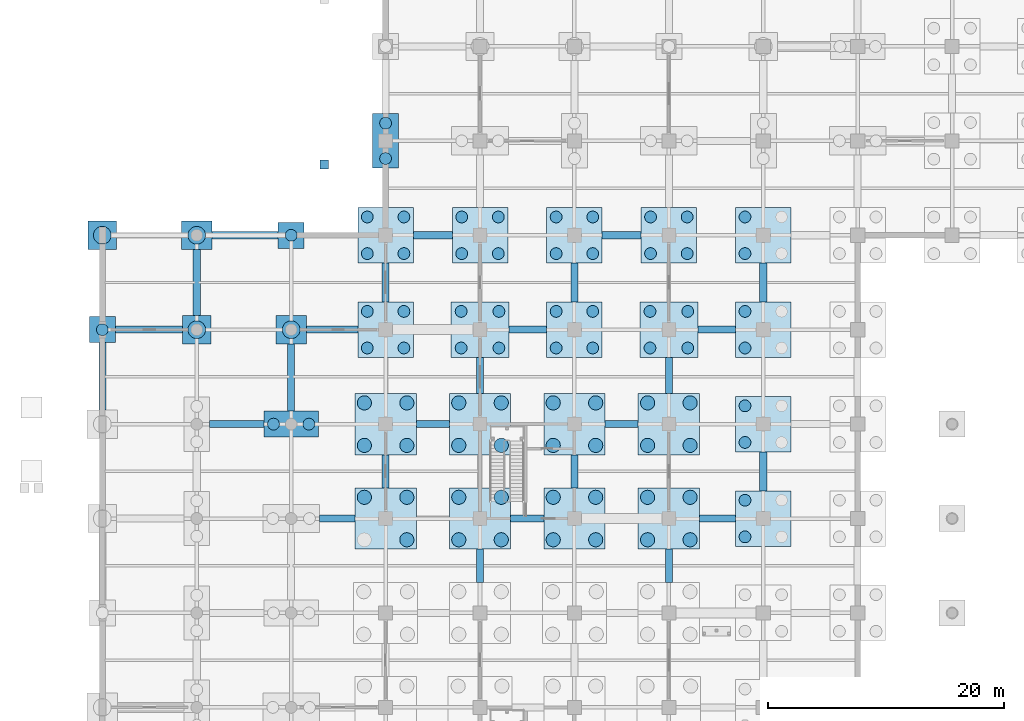
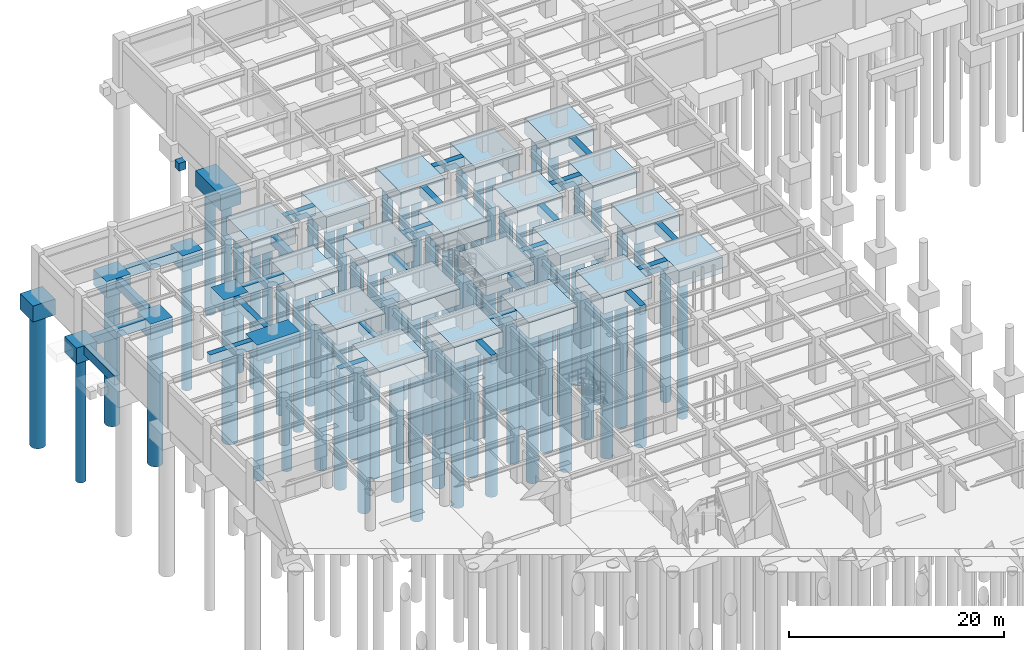
# One storey, part 14 of 97: 81 piles, 55 footings.
"""IFC4 building model written with IfcOpenShell, lengths in metres."""

import ifcopenshell
import ifcopenshell.guid

model = None  # the IFC model being written
_history = None  # IfcOwnerHistory: only IFC2X3 demands one
_inside = {}  # id of a spatial element -> (the spatial element, [elements in it])
_under = {}  # id of a project, library or spatial element -> (it, [spatial elements below it])
_declared = {}  # id of a project -> (the project, [libraries it declares])
_typed = {}  # id of a type object -> (the type object, [elements of that type])
_made_of = {}  # id of a material, layer set ... -> (it, [elements and type objects made of it])


def new_model(schema):
    """Start an empty IFC model of exactly this schema.

    Asked for "IFC4X3", IfcOpenShell would pick the latest addendum, in which some entities
    have other attributes; the version numbers below select the first issue.
    IFC2X3 requires an IfcOwnerHistory on every rooted entity: one is made here for all.
    """
    global model, _history
    if schema == "IFC4X3":
        model = ifcopenshell.file(schema_version=(4, 3, 0, 0))
    else:
        model = ifcopenshell.file(schema=schema)
    _inside.clear()
    _under.clear()
    _declared.clear()
    _typed.clear()
    _made_of.clear()
    _history = None
    if model.schema == "IFC2X3":
        org = make("IfcOrganization", Name="unknown")
        user = make(
            "IfcPersonAndOrganization",
            ThePerson=make("IfcPerson", FamilyName="unknown"),
            TheOrganization=org,
        )
        app = make(
            "IfcApplication",
            ApplicationDeveloper=org,
            Version="unknown",
            ApplicationFullName="unknown",
            ApplicationIdentifier="unknown",
        )
        _history = make(
            "IfcOwnerHistory",
            OwningUser=user,
            OwningApplication=app,
            ChangeAction="ADDED",
            CreationDate=0,
        )
    return model


def make(cls, **values):
    """One entity of the class cls with the attributes given. An attribute that is None is left unset."""
    return model.create_entity(
        cls, **{name: value for name, value in values.items() if value is not None}
    )


def rooted(cls, **values):
    """An entity with a GlobalId (a new one), such as an element, a storey or a relation."""
    return make(cls, GlobalId=ifcopenshell.guid.new(), OwnerHistory=_history, **values)


def si_unit(unit_type, name, prefix=None):
    """IfcSIUnit, for example si_unit("LENGTHUNIT", "METRE", prefix="MILLI")."""
    return make("IfcSIUnit", UnitType=unit_type, Prefix=prefix, Name=name)


def assignment(units):
    """IfcUnitAssignment: the units of a project."""
    return None if units is None else make("IfcUnitAssignment", Units=units)


def point(xyz):
    """IfcCartesianPoint."""
    return None if xyz is None else make("IfcCartesianPoint", Coordinates=xyz)


def direction(xyz):
    """IfcDirection."""
    return None if xyz is None else make("IfcDirection", DirectionRatios=xyz)


def frame(location, z_axis=None, x_axis=None):
    """IfcAxis2Placement3D, a coordinate frame: its origin and axes. An axis left out is left unset."""
    return make(
        "IfcAxis2Placement3D",
        Location=point(location),
        Axis=direction(z_axis),
        RefDirection=direction(x_axis),
    )


def frame_2d(location, x_axis=None):
    """IfcAxis2Placement2D, a coordinate frame in the plane: its origin and x axis."""
    return make(
        "IfcAxis2Placement2D", Location=point(location), RefDirection=direction(x_axis)
    )


def origin():
    """The frame at (0, 0, 0) with its axes left unset."""
    return frame((0.0, 0.0, 0.0))


def origin_2d():
    """The frame at (0, 0) in the plane with its x axis left unset."""
    return frame_2d((0.0, 0.0))


def place(relative_to, where):
    """IfcLocalPlacement: puts the frame where relative to a parent placement (None: the world)."""
    return make(
        "IfcLocalPlacement", PlacementRelTo=relative_to, RelativePlacement=where
    )


def context(
    kind, dimensions, precision=None, world=None, true_north=None, identifier=None
):
    """IfcGeometricRepresentationContext, for example the 3D "Model" context."""
    return make(
        "IfcGeometricRepresentationContext",
        ContextIdentifier=identifier,
        ContextType=kind,
        CoordinateSpaceDimension=dimensions,
        Precision=precision,
        WorldCoordinateSystem=world,
        TrueNorth=true_north,
    )


def subcontext(parent, identifier, kind, view, scale=None):
    """IfcGeometricRepresentationSubContext, for example "Body" below "Model"."""
    return make(
        "IfcGeometricRepresentationSubContext",
        ContextIdentifier=identifier,
        ContextType=kind,
        ParentContext=parent,
        TargetScale=scale,
        TargetView=view,
    )


def project(units=None, contexts=None):
    """IfcProject with its units and contexts."""
    return rooted(
        "IfcProject",
        Name="project",
        RepresentationContexts=contexts,
        UnitsInContext=assignment(units),
    )


def spatial(cls, under=None, at=None, **own):
    """A site, building, storey or space (cls), placed at a placement, below another one or the project."""
    s = rooted(cls, ObjectPlacement=at, **own)
    if under is not None:
        _under.setdefault(under.id(), (under, []))[1].append(s)
    return s


def profile(cls, at=None, kind="AREA", **sizes):
    """A parametric profile (cls). Its sizes go by their IFC names, for example OverallWidth=200.0."""
    return make(cls, ProfileType=kind, Position=at, **sizes)


def rectangle(**sizes):
    """IfcRectangleProfileDef."""
    return profile("IfcRectangleProfileDef", **sizes)


def circle(**sizes):
    """IfcCircleProfileDef."""
    return profile("IfcCircleProfileDef", **sizes)


def extrude(swept, where, along, depth):
    """IfcExtrudedAreaSolid: the profile swept, set in the frame where, extruded along a direction by depth."""
    return make(
        "IfcExtrudedAreaSolid",
        SweptArea=swept,
        Position=where,
        ExtrudedDirection=direction(along),
        Depth=depth,
    )


def shape(context_of_items, identifier, shape_type, items):
    """IfcShapeRepresentation: the items that make up one representation, for example the "Body"."""
    return make(
        "IfcShapeRepresentation",
        ContextOfItems=context_of_items,
        RepresentationIdentifier=identifier,
        RepresentationType=shape_type,
        Items=items,
    )


def material(Name=None, Category=None):
    """IfcMaterial."""
    return make("IfcMaterial", Name=Name, Category=Category)


def layer(
    of_material, thickness, ventilated=None, Name=None, Category=None, Priority=None
):
    """IfcMaterialLayer: one layer of a wall or slab, of a material (None: an air gap)."""
    return make(
        "IfcMaterialLayer",
        Material=of_material,
        LayerThickness=thickness,
        IsVentilated=ventilated,
        Name=Name,
        Category=Category,
        Priority=Priority,
    )


def layer_set(layers, Name=None):
    """IfcMaterialLayerSet."""
    return make("IfcMaterialLayerSet", MaterialLayers=layers, LayerSetName=Name)


def material_profile(
    of_material, cross_section, Name=None, Category=None, Priority=None
):
    """IfcMaterialProfile: a cross section and its material."""
    return make(
        "IfcMaterialProfile",
        Name=Name,
        Material=of_material,
        Profile=cross_section,
        Priority=Priority,
        Category=Category,
    )


def profile_set(profiles, Name=None, composite=None):
    """IfcMaterialProfileSet."""
    return make(
        "IfcMaterialProfileSet",
        Name=Name,
        MaterialProfiles=profiles,
        CompositeProfile=composite,
    )


def made_of(thing, what):
    """Note that an element or type object is made of a material, layer set ...; save() writes the relation."""
    if what is not None:
        _made_of.setdefault(what.id(), (what, []))[1].append(thing)
    return thing


def type_object(cls, material=None, **own):
    """A type object (cls), such as IfcWallType, which elements share."""
    return made_of(rooted(cls, **own), material)


def element(
    cls,
    number,
    at=None,
    inside=None,
    cuts=None,
    type_object=None,
    material=None,
    context=None,
    identifier="Body",
    shape_type=None,
    held_by="IfcProductDefinitionShape",
    body=None,
    shapes=None,
    **own,
):
    """One element of the class cls, such as IfcWall. Its Tag is "e" and its number.

    at: its placement. inside: the storey or other place that contains it. cuts: it is an
    opening in that element (IfcRelVoidsElement). A single representation is given by context,
    identifier, shape_type and body (its items); several are given by shapes. held_by: the class
    of the entity that holds the representations. save() writes the other relations.
    """
    e = rooted(cls, Tag="e%d" % number, ObjectPlacement=at, **own)
    if body is not None:
        shapes = [shape(context, identifier, shape_type, body)]
    if shapes is not None:
        e.Representation = make(held_by, Representations=shapes)
    if inside is not None:
        _inside.setdefault(inside.id(), (inside, []))[1].append(e)
    if cuts is not None:
        rooted(
            "IfcRelVoidsElement", RelatingBuildingElement=cuts, RelatedOpeningElement=e
        )
    if type_object is not None:
        _typed.setdefault(type_object.id(), (type_object, []))[1].append(e)
    return made_of(e, material)


def aggregate(whole, parts):
    """IfcRelAggregates: a whole, such as a stair, and the parts it consists of."""
    return rooted("IfcRelAggregates", RelatingObject=whole, RelatedObjects=parts)


def save(model, path):
    """Write the relations noted so far, then the file.

    IfcRelAggregates (storeys below a building ...), IfcRelContainedInSpatialStructure (elements
    in a storey), IfcRelDefinesByType, IfcRelAssociatesMaterial and IfcRelDeclares: one each for
    every whole, place, type object, material and project.
    """
    for whole, parts in _under.values():
        aggregate(whole, parts)
    for where, things in _inside.values():
        rooted(
            "IfcRelContainedInSpatialStructure",
            RelatedElements=things,
            RelatingStructure=where,
        )
    for kind, things in _typed.values():
        rooted("IfcRelDefinesByType", RelatedObjects=things, RelatingType=kind)
    for what, things in _made_of.values():
        rooted("IfcRelAssociatesMaterial", RelatedObjects=things, RelatingMaterial=what)
    for by, libraries in _declared.values():
        rooted("IfcRelDeclares", RelatingContext=by, RelatedDefinitions=libraries)
    model.write(path)


model = new_model("IFC4")

# Units and contexts
model_context = context("Model", 3, precision=1e-05, world=origin(), true_north=direction((0.0, 1.0)))
body_context = subcontext(model_context, "Body", "Model", "MODEL_VIEW")
ifc_project = project(units=[si_unit("LENGTHUNIT", "METRE"), si_unit("AREAUNIT", "SQUARE_METRE"), si_unit("VOLUMEUNIT", "CUBIC_METRE"), si_unit("PLANEANGLEUNIT", "RADIAN"), si_unit("MASSUNIT", "GRAM", prefix="KILO")], contexts=[model_context])

# Site, building, storey
site_placement = place(None, origin())
site = spatial("IfcSite", under=ifc_project, at=site_placement, CompositionType="ELEMENT")
building_placement = place(site_placement, origin())
building = spatial("IfcBuilding", under=site, at=building_placement, Name="Haebicheon Civic Stadium", CompositionType="ELEMENT")
storey_placement = place(building_placement, frame((0.0, 0.0, -5.39990234375)))
storey = spatial("IfcBuildingStorey", under=building, at=storey_placement, Name="B1", CompositionType="ELEMENT", Elevation=-5.39990234375)

# Footings
ifc_material_1 = material(Name="Concrete C40/50", Category="concrete")
ifc_layer_1 = layer(ifc_material_1, 1.0, Name="Concrete C40/50")
ifc_layer_set_1 = layer_set([ifc_layer_1], Name="Concrete C40/50")
footing_type_1 = type_object("IfcFootingType", Name="FB-2800x600", PredefinedType="FOOTING_BEAM", material=ifc_layer_set_1)
for number, where, z_axis, x_axis, name in (
    (1, (24.0, 132.0, -1.0), (0.0, 0.0, 1.0), (0.0, 1.0, 0.0), "Ground tie beam Y 03-16"),
    (2, (28.0, 136.0, -1.0), (0.0, 0.0, 1.0), (1.0, 0.0, 0.0), "Ground tie beam X 03-17"),
    (3, (32.0, 124.0, -1.0), (0.0, 0.0, 1.0), (0.0, 1.0, 0.0), "Ground tie beam Y 04-15"),
    (4, (36.0, 128.0, -1.0), (0.0, 0.0, 1.0), (1.0, 0.0, 0.0), "Ground tie beam X 04-16"),
    (5, (40.0, 132.0, -1.0), (0.0, 0.0, 1.0), (0.0, 1.0, 0.0), "Ground tie beam Y 05-16"),
    (6, (44.0, 136.0, -1.0), (0.0, 0.0, 1.0), (1.0, 0.0, 0.0), "Ground tie beam X 05-17"),
    (7, (48.0, 124.0, -1.0), (0.0, 0.0, 1.0), (0.0, 1.0, 0.0), "Ground tie beam Y 06-15"),
):
    element("IfcFooting", number, at=place(storey_placement, frame(where, z_axis=z_axis, x_axis=x_axis)), inside=storey, type_object=footing_type_1, material=ifc_layer_set_1, Name=name, PredefinedType="FOOTING_BEAM", context=body_context, shape_type="SweptSolid", body=[
        extrude(rectangle(XDim=2.800048828125, YDim=0.60009765625, at=origin_2d()), origin(), (0.0, 0.0, 1.0), 1.0),
    ])
ifc_material_2 = material(Name="Concrete C40/50", Category="concrete")
ifc_layer_2 = layer(ifc_material_2, 1.0, Name="Concrete C40/50")
ifc_layer_set_2 = layer_set([ifc_layer_2], Name="Concrete C40/50")
footing_type_2 = type_object("IfcFootingType", Name="FB-3000x600", PredefinedType="FOOTING_BEAM", material=ifc_layer_set_2)
footing_1_placement = place(storey_placement, frame((19.89990234375, 128.0, -1.0), z_axis=(0.0, 0.0, 1.0), x_axis=(1.0, 0.0, 0.0)))
element("IfcFooting", 8, at=footing_1_placement, inside=storey, type_object=footing_type_2, material=ifc_layer_set_2, Name="Ground tie beam X 02-16", PredefinedType="FOOTING_BEAM", context=body_context, shape_type="SweptSolid", body=[
    extrude(rectangle(XDim=3.0, YDim=0.60009765625, at=origin_2d()), origin(), (0.0, 0.0, 1.0), 1.0),
])
ifc_material_3 = material(Name="Concrete C40/50", Category="concrete")
ifc_layer_3 = layer(ifc_material_3, 1.0, Name="Concrete C40/50")
ifc_layer_set_3 = layer_set([ifc_layer_3], Name="Concrete C40/50")
footing_type_3 = type_object("IfcFootingType", Name="FB-3050x600", PredefinedType="FOOTING_BEAM", material=ifc_layer_set_3)
for number, where, z_axis, x_axis, name in (
    (9, (32.0, 140.125, -1.0), (0.0, 0.0, 1.0), (0.0, 1.0, 0.0), "Ground tie beam Y 04-17"),
    (10, (52.125, 128.0, -1.0), (0.0, 0.0, 1.0), (1.0, 0.0, 0.0), "Ground tie beam X 06-16"),
    (11, (48.0, 140.125, -1.0), (0.0, 0.0, 1.0), (0.0, 1.0, 0.0), "Ground tie beam Y 06-17"),
):
    element("IfcFooting", number, at=place(storey_placement, frame(where, z_axis=z_axis, x_axis=x_axis)), inside=storey, type_object=footing_type_3, material=ifc_layer_set_3, Name=name, PredefinedType="FOOTING_BEAM", context=body_context, shape_type="SweptSolid", body=[
        extrude(rectangle(XDim=3.050048828125, YDim=0.60009765625, at=origin_2d()), origin(), (0.0, 0.0, 1.0), 1.0),
    ])
ifc_material_4 = material(Name="Concrete C40/50", Category="concrete")
ifc_layer_4 = layer(ifc_material_4, 1.0, Name="Concrete C40/50")
ifc_layer_set_4 = layer_set([ifc_layer_4], Name="Concrete C40/50")
footing_type_4 = type_object("IfcFootingType", Name="FB-3200x600", PredefinedType="FOOTING_BEAM", material=ifc_layer_set_4)
for number, where, z_axis, x_axis, name in (
    (12, (36.050048828125, 144.0, -1.0), (0.0, 0.0, 1.0), (1.0, 0.0, 0.0), "Ground tie beam X 04-18"),
    (13, (52.050048828125, 144.0, -1.0), (0.0, 0.0, 1.0), (1.0, 0.0, 0.0), "Ground tie beam X 06-18"),
):
    element("IfcFooting", number, at=place(storey_placement, frame(where, z_axis=z_axis, x_axis=x_axis)), inside=storey, type_object=footing_type_4, material=ifc_layer_set_4, Name=name, PredefinedType="FOOTING_BEAM", context=body_context, shape_type="SweptSolid", body=[
        extrude(rectangle(XDim=3.199951171875, YDim=0.60009765625, at=origin_2d()), origin(), (0.0, 0.0, 1.0), 1.0),
    ])
ifc_material_5 = material(Name="Concrete C40/50", Category="concrete")
ifc_layer_5 = layer(ifc_material_5, 1.0, Name="Concrete C40/50")
ifc_layer_set_5 = layer_set([ifc_layer_5], Name="Concrete C40/50")
footing_type_5 = type_object("IfcFootingType", Name="FB-3300x600", PredefinedType="FOOTING_BEAM", material=ifc_layer_set_5)
for number, where, z_axis, x_axis, name in (
    (14, (24.0, 148.0, -1.0), (0.0, 0.0, 1.0), (0.0, 1.0, 0.0), "Ground tie beam Y 03-18"),
    (15, (28.0, 152.0, -1.0), (0.0, 0.0, 1.0), (1.0, 0.0, 0.0), "Ground tie beam X 03-19"),
    (16, (40.0, 148.0, -1.0), (0.0, 0.0, 1.0), (0.0, 1.0, 0.0), "Ground tie beam Y 05-18"),
    (17, (44.0, 152.0, -1.0), (0.0, 0.0, 1.0), (1.0, 0.0, 0.0), "Ground tie beam X 05-19"),
    (18, (56.0, 132.0, -1.0), (0.0, 0.0, 1.0), (0.0, 1.0, 0.0), "Ground tie beam Y 07-16"),
    (19, (56.0, 148.0, -1.0), (0.0, 0.0, 1.0), (0.0, 1.0, 0.0), "Ground tie beam Y 07-18"),
):
    element("IfcFooting", number, at=place(storey_placement, frame(where, z_axis=z_axis, x_axis=x_axis)), inside=storey, type_object=footing_type_5, material=ifc_layer_set_5, Name=name, PredefinedType="FOOTING_BEAM", context=body_context, shape_type="SweptSolid", body=[
        extrude(rectangle(XDim=3.300048828125, YDim=0.60009765625, at=origin_2d()), origin(), (0.0, 0.0, 1.0), 1.0),
    ])
ifc_material_6 = material(Name="Concrete C40/50", Category="concrete")
ifc_layer_6 = layer(ifc_material_6, 1.0, Name="Concrete C40/50")
ifc_layer_set_6 = layer_set([ifc_layer_6], Name="Concrete C40/50")
footing_type_6 = type_object("IfcFootingType", Name="FB-4350x600", PredefinedType="FOOTING_BEAM", material=ifc_layer_set_6)
footing_2_placement = place(storey_placement, frame((19.47509765625, 144.0, -1.0), z_axis=(0.0, 0.0, 1.0), x_axis=(1.0, 0.0, 0.0)))
element("IfcFooting", 20, at=footing_2_placement, inside=storey, type_object=footing_type_6, material=ifc_layer_set_6, Name="Ground tie beam X 02-18", PredefinedType="FOOTING_BEAM", context=body_context, shape_type="SweptSolid", body=[
    extrude(rectangle(XDim=4.35009765625, YDim=0.60009765625, at=origin_2d()), origin(), (0.0, 0.0, 1.0), 1.0),
])
ifc_material_7 = material(Name="Concrete C40/50", Category="concrete")
ifc_layer_7 = layer(ifc_material_7, 1.0, Name="Concrete C40/50")
ifc_layer_set_7 = layer_set([ifc_layer_7], Name="Concrete C40/50")
footing_type_7 = type_object("IfcFootingType", Name="FB-4600x600", PredefinedType="FOOTING_BEAM", material=ifc_layer_set_7)
footing_3_placement = place(storey_placement, frame((11.39990234375, 136.0, -1.0), z_axis=(0.0, 0.0, 1.0), x_axis=(1.0, 0.0, 0.0)))
element("IfcFooting", 21, at=footing_3_placement, inside=storey, type_object=footing_type_7, material=ifc_layer_set_7, Name="Ground tie beam X 01-17", PredefinedType="FOOTING_BEAM", context=body_context, shape_type="SweptSolid", body=[
    extrude(rectangle(XDim=4.60009765625, YDim=0.60009765625, at=origin_2d()), origin(), (0.0, 0.0, 1.0), 1.0),
])
ifc_material_8 = material(Name="Concrete C40/50", Category="concrete")
ifc_layer_8 = layer(ifc_material_8, 1.0, Name="Concrete C40/50")
ifc_layer_set_8 = layer_set([ifc_layer_8], Name="Concrete C40/50")
footing_type_8 = type_object("IfcFootingType", Name="FB-5600x600", PredefinedType="FOOTING_BEAM", material=ifc_layer_set_8)
for number, where, z_axis, x_axis, name in (
    (22, (8.0, 148.0, -1.0), (0.0, 0.0, 1.0), (0.0, 1.0, 0.0), "Ground tie beam Y 01-18"),
    (23, (12.10009765625, 152.0, -1.0), (0.0, 0.0, 1.0), (1.0, 0.0, 0.0), "Ground tie beam X 01-19"),
):
    element("IfcFooting", number, at=place(storey_placement, frame(where, z_axis=z_axis, x_axis=x_axis)), inside=storey, type_object=footing_type_8, material=ifc_layer_set_8, Name=name, PredefinedType="FOOTING_BEAM", context=body_context, shape_type="SweptSolid", body=[
        extrude(rectangle(XDim=5.60009765625, YDim=0.60009765625, at=origin_2d()), origin(), (0.0, 0.0, 1.0), 1.0),
    ])
ifc_material_9 = material(Name="Concrete C40/50", Category="concrete")
ifc_layer_9 = layer(ifc_material_9, 1.0, Name="Concrete C40/50")
ifc_layer_set_9 = layer_set([ifc_layer_9], Name="Concrete C40/50")
footing_type_9 = type_object("IfcFootingType", Name="FB-5700x600", PredefinedType="FOOTING_BEAM", material=ifc_layer_set_9)
for number, where, z_axis, x_axis, name in (
    (24, (0.0, 140.050048828125, -1.0), (0.0, 0.0, 1.0), (0.0, 1.0, 0.0), "Ground tie beam Y 00-17"),
    (25, (3.949951171875, 144.0, -1.0), (0.0, 0.0, 1.0), (1.0, 0.0, 0.0), "Ground tie beam X 00-18"),
    (26, (16.0, 139.949951171875, -1.0), (0.0, 0.0, 1.0), (0.0, 1.0, 0.0), "Ground tie beam Y 02-17"),
):
    element("IfcFooting", number, at=place(storey_placement, frame(where, z_axis=z_axis, x_axis=x_axis)), inside=storey, type_object=footing_type_9, material=ifc_layer_set_9, Name=name, PredefinedType="FOOTING_BEAM", context=body_context, shape_type="SweptSolid", body=[
        extrude(rectangle(XDim=5.699951171875, YDim=0.60009765625, at=origin_2d()), origin(), (0.0, 0.0, 1.0), 1.0),
    ])
ifc_material_10 = material(Name="Concrete C40/50", Category="concrete")
ifc_layer_10 = layer(ifc_material_10, 1.800048828125, Name="Concrete C40/50")
ifc_layer_set_10 = layer_set([ifc_layer_10], Name="Concrete C40/50")
footing_type_10 = type_object("IfcFootingType", Name="PC-1P-2200", PredefinedType="PILE_CAP", material=ifc_layer_set_10)
for number, where, z_axis, x_axis, name in (
    (27, (0.0, 144.0, -1.80029296875), (0.0, 0.0, 1.0), (1.0, 0.0, 0.0), "Pile cap FT-PC-00-18"),
    (28, (16.0, 152.0, -1.80029296875), (0.0, 0.0, 1.0), (1.0, 0.0, 0.0), "Pile cap FT-PC-02-19"),
):
    element("IfcFooting", number, at=place(storey_placement, frame(where, z_axis=z_axis, x_axis=x_axis)), inside=storey, type_object=footing_type_10, material=ifc_layer_set_10, Name=name, PredefinedType="PILE_CAP", context=body_context, shape_type="SweptSolid", body=[
        extrude(rectangle(XDim=2.199951171875, YDim=2.199951171875, at=origin_2d()), origin(), (0.0, 0.0, 1.0), 1.800048828125),
    ])
ifc_material_11 = material(Name="Concrete C40/50", Category="concrete")
ifc_layer_11 = layer(ifc_material_11, 1.800048828125, Name="Concrete C40/50")
ifc_layer_set_11 = layer_set([ifc_layer_11], Name="Concrete C40/50")
footing_type_11 = type_object("IfcFootingType", Name="PC-1P-2400", PredefinedType="PILE_CAP", material=ifc_layer_set_11)
for number, where, z_axis, x_axis, name in (
    (29, (0.0, 152.0, -1.80029296875), (0.0, 0.0, 1.0), (1.0, 0.0, 0.0), "Pile cap FT-PC-00-19"),
    (30, (8.0, 144.0, -1.80029296875), (0.0, 0.0, 1.0), (1.0, 0.0, 0.0), "Pile cap FT-PC-01-18"),
):
    element("IfcFooting", number, at=place(storey_placement, frame(where, z_axis=z_axis, x_axis=x_axis)), inside=storey, type_object=footing_type_11, material=ifc_layer_set_11, Name=name, PredefinedType="PILE_CAP", context=body_context, shape_type="SweptSolid", body=[
        extrude(rectangle(XDim=2.39990234375, YDim=2.39990234375, at=origin_2d()), origin(), (0.0, 0.0, 1.0), 1.800048828125),
    ])
ifc_material_12 = material(Name="Concrete C40/50", Category="concrete")
ifc_layer_12 = layer(ifc_material_12, 1.800048828125, Name="Concrete C40/50")
ifc_layer_set_12 = layer_set([ifc_layer_12], Name="Concrete C40/50")
footing_type_12 = type_object("IfcFootingType", Name="PC-1P-2600", PredefinedType="PILE_CAP", material=ifc_layer_set_12)
for number, where, z_axis, x_axis, name in (
    (31, (8.0, 152.0, -1.80029296875), (0.0, 0.0, 1.0), (1.0, 0.0, 0.0), "Pile cap FT-PC-01-19"),
    (32, (16.0, 144.0, -1.80029296875), (0.0, 0.0, 1.0), (1.0, 0.0, 0.0), "Pile cap FT-PC-02-18"),
):
    element("IfcFooting", number, at=place(storey_placement, frame(where, z_axis=z_axis, x_axis=x_axis)), inside=storey, type_object=footing_type_12, material=ifc_layer_set_12, Name=name, PredefinedType="PILE_CAP", context=body_context, shape_type="SweptSolid", body=[
        extrude(rectangle(XDim=2.60009765625, YDim=2.39990234375, at=origin_2d()), origin(), (0.0, 0.0, 1.0), 1.800048828125),
    ])
ifc_material_13 = material(Name="Concrete C40/50", Category="concrete")
ifc_layer_13 = layer(ifc_material_13, 1.800048828125, Name="Concrete C40/50")
ifc_layer_set_13 = layer_set([ifc_layer_13], Name="Concrete C40/50")
footing_type_13 = type_object("IfcFootingType", Name="PC-2P-2200", PredefinedType="PILE_CAP", material=ifc_layer_set_13)
footing_4_placement = place(storey_placement, frame((24.0, 160.0, -1.80029296875), z_axis=(0.0, 0.0, 1.0), x_axis=(1.0, 0.0, 0.0)))
element("IfcFooting", 33, at=footing_4_placement, inside=storey, type_object=footing_type_13, material=ifc_layer_set_13, Name="Pile cap FT-PC-03-20", PredefinedType="PILE_CAP", context=body_context, shape_type="SweptSolid", body=[
    extrude(rectangle(XDim=2.199951171875, YDim=4.60009765625, at=origin_2d()), origin(), (0.0, 0.0, 1.0), 1.800048828125),
])
ifc_material_14 = material(Name="Concrete C40/50", Category="concrete")
ifc_layer_14 = layer(ifc_material_14, 1.800048828125, Name="Concrete C40/50")
ifc_layer_set_14 = layer_set([ifc_layer_14], Name="Concrete C40/50")
footing_type_14 = type_object("IfcFootingType", Name="PC-2P-4600", PredefinedType="PILE_CAP", material=ifc_layer_set_14)
footing_5_placement = place(storey_placement, frame((16.0, 136.0, -1.80029296875), z_axis=(0.0, 0.0, 1.0), x_axis=(1.0, 0.0, 0.0)))
element("IfcFooting", 34, at=footing_5_placement, inside=storey, type_object=footing_type_14, material=ifc_layer_set_14, Name="Pile cap FT-PC-02-17", PredefinedType="PILE_CAP", context=body_context, shape_type="SweptSolid", body=[
    extrude(rectangle(XDim=4.60009765625, YDim=2.199951171875, at=origin_2d()), origin(), (0.0, 0.0, 1.0), 1.800048828125),
])
ifc_material_15 = material(Name="Concrete C40/50", Category="concrete")
ifc_layer_15 = layer(ifc_material_15, 1.800048828125, Name="Concrete C40/50")
ifc_layer_set_15 = layer_set([ifc_layer_15], Name="Concrete C40/50")
footing_type_15 = type_object("IfcFootingType", Name="PC-4P-4700", PredefinedType="PILE_CAP", material=ifc_layer_set_15)
for number, where, z_axis, x_axis, name in (
    (35, (24.0, 144.0, -1.80029296875), (0.0, 0.0, 1.0), (1.0, 0.0, 0.0), "Pile cap FT-PC-03-18"),
    (36, (24.0, 152.0, -1.80029296875), (0.0, 0.0, 1.0), (1.0, 0.0, 0.0), "Pile cap FT-PC-03-19"),
    (37, (32.0, 152.0, -1.80029296875), (0.0, 0.0, 1.0), (1.0, 0.0, 0.0), "Pile cap FT-PC-04-19"),
    (38, (40.0, 144.0, -1.80029296875), (0.0, 0.0, 1.0), (1.0, 0.0, 0.0), "Pile cap FT-PC-05-18"),
    (39, (40.0, 152.0, -1.80029296875), (0.0, 0.0, 1.0), (1.0, 0.0, 0.0), "Pile cap FT-PC-05-19"),
    (40, (48.0, 152.0, -1.80029296875), (0.0, 0.0, 1.0), (1.0, 0.0, 0.0), "Pile cap FT-PC-06-19"),
    (41, (56.0, 128.0, -1.80029296875), (0.0, 0.0, 1.0), (1.0, 0.0, 0.0), "Pile cap FT-PC-07-16"),
    (42, (56.0, 136.0, -1.80029296875), (0.0, 0.0, 1.0), (1.0, 0.0, 0.0), "Pile cap FT-PC-07-17"),
    (43, (56.0, 144.0, -1.80029296875), (0.0, 0.0, 1.0), (1.0, 0.0, 0.0), "Pile cap FT-PC-07-18"),
    (44, (56.0, 152.0, -1.80029296875), (0.0, 0.0, 1.0), (1.0, 0.0, 0.0), "Pile cap FT-PC-07-19"),
):
    element("IfcFooting", number, at=place(storey_placement, frame(where, z_axis=z_axis, x_axis=x_axis)), inside=storey, type_object=footing_type_15, material=ifc_layer_set_15, Name=name, PredefinedType="PILE_CAP", context=body_context, shape_type="SweptSolid", body=[
        extrude(rectangle(XDim=4.699951171875, YDim=4.699951171875, at=origin_2d()), origin(), (0.0, 0.0, 1.0), 1.800048828125),
    ])
ifc_material_16 = material(Name="Concrete C40/50", Category="concrete")
ifc_layer_16 = layer(ifc_material_16, 1.800048828125, Name="Concrete C40/50")
ifc_layer_set_16 = layer_set([ifc_layer_16], Name="Concrete C40/50")
footing_type_16 = type_object("IfcFootingType", Name="PC-4P-4900", PredefinedType="PILE_CAP", material=ifc_layer_set_16)
for number, where, z_axis, x_axis, name in (
    (45, (32.0, 144.0, -1.80029296875), (0.0, 0.0, 1.0), (1.0, 0.0, 0.0), "Pile cap FT-PC-04-18"),
    (46, (48.0, 144.0, -1.80029296875), (0.0, 0.0, 1.0), (1.0, 0.0, 0.0), "Pile cap FT-PC-06-18"),
):
    element("IfcFooting", number, at=place(storey_placement, frame(where, z_axis=z_axis, x_axis=x_axis)), inside=storey, type_object=footing_type_16, material=ifc_layer_set_16, Name=name, PredefinedType="PILE_CAP", context=body_context, shape_type="SweptSolid", body=[
        extrude(rectangle(XDim=4.89990234375, YDim=4.699951171875, at=origin_2d()), origin(), (0.0, 0.0, 1.0), 1.800048828125),
    ])
ifc_material_17 = material(Name="Concrete C40/50", Category="concrete")
ifc_layer_17 = layer(ifc_material_17, 1.800048828125, Name="Concrete C40/50")
ifc_layer_set_17 = layer_set([ifc_layer_17], Name="Concrete C40/50")
footing_type_17 = type_object("IfcFootingType", Name="PC-4P-5200", PredefinedType="PILE_CAP", material=ifc_layer_set_17)
for number, where, z_axis, x_axis, name in (
    (47, (24.0, 128.0, -1.80029296875), (0.0, 0.0, 1.0), (1.0, 0.0, 0.0), "Pile cap FT-PC-03-16"),
    (48, (24.0, 136.0, -1.80029296875), (0.0, 0.0, 1.0), (1.0, 0.0, 0.0), "Pile cap FT-PC-03-17"),
    (49, (32.0, 128.0, -1.80029296875), (0.0, 0.0, 1.0), (1.0, 0.0, 0.0), "Pile cap FT-PC-04-16"),
    (50, (32.0, 136.0, -1.80029296875), (0.0, 0.0, 1.0), (1.0, 0.0, 0.0), "Pile cap FT-PC-04-17"),
    (51, (40.0, 128.0, -1.80029296875), (0.0, 0.0, 1.0), (1.0, 0.0, 0.0), "Pile cap FT-PC-05-16"),
    (52, (40.0, 136.0, -1.80029296875), (0.0, 0.0, 1.0), (1.0, 0.0, 0.0), "Pile cap FT-PC-05-17"),
    (53, (48.0, 128.0, -1.80029296875), (0.0, 0.0, 1.0), (1.0, 0.0, 0.0), "Pile cap FT-PC-06-16"),
    (54, (48.0, 136.0, -1.80029296875), (0.0, 0.0, 1.0), (1.0, 0.0, 0.0), "Pile cap FT-PC-06-17"),
):
    element("IfcFooting", number, at=place(storey_placement, frame(where, z_axis=z_axis, x_axis=x_axis)), inside=storey, type_object=footing_type_17, material=ifc_layer_set_17, Name=name, PredefinedType="PILE_CAP", context=body_context, shape_type="SweptSolid", body=[
        extrude(rectangle(XDim=5.199951171875, YDim=5.199951171875, at=origin_2d()), origin(), (0.0, 0.0, 1.0), 1.800048828125),
    ])
ifc_material_18 = material(Name="Concrete C35/45", Category="concrete")
ifc_layer_18 = layer(ifc_material_18, 0.89990234375, Name="Concrete C35/45")
ifc_layer_set_18 = layer_set([ifc_layer_18], Name="Concrete C35/45")
footing_type_18 = type_object("IfcFootingType", Name="PF-750", PredefinedType="PAD_FOOTING", material=ifc_layer_set_18)
footing_6_placement = place(storey_placement, frame((18.800048828125, 158.0, 4.300048828125), z_axis=(0.0, 0.0, 1.0), x_axis=(1.0, 0.0, 0.0)))
element("IfcFooting", 55, at=footing_6_placement, inside=storey, type_object=footing_type_18, material=ifc_layer_set_18, Name="Exterior plaza apron pad footing APR-WN-1", PredefinedType="PAD_FOOTING", context=body_context, shape_type="SweptSolid", body=[
    extrude(rectangle(XDim=0.75, YDim=0.75, at=origin_2d()), origin(), (0.0, 0.0, 1.0), 0.89990234375),
])

# Piles
ifc_material_19 = material(Name="Concrete C40/50", Category="concrete")
ifc_material_profile_1 = material_profile(ifc_material_19, circle(Radius=0.5, at=origin_2d()), Name="PILE-D1000")
ifc_profile_set_1 = profile_set([ifc_material_profile_1], Name="Concrete C40/50")
pile_type_1 = type_object("IfcPileType", Name="PL-D1000", PredefinedType="BORED", material=ifc_profile_set_1)
for number, where, z_axis, x_axis, name in (
    (56, (0.0, 144.0, -1.7001953125), (0.0, 0.0, -1.0), (1.0, 0.0, 0.0), "Bored pile 00-18-1"),
    (57, (14.5, 136.0, -1.7001953125), (0.0, 0.0, -1.0), (1.0, 0.0, 0.0), "Bored pile 02-17-1"),
    (58, (17.5, 136.0, -1.7001953125), (0.0, 0.0, -1.0), (1.0, 0.0, 0.0), "Bored pile 02-17-2"),
    (59, (16.0, 152.0, -1.7001953125), (0.0, 0.0, -1.0), (1.0, 0.0, 0.0), "Bored pile 02-19-1"),
):
    element("IfcPile", number, at=place(storey_placement, frame(where, z_axis=z_axis, x_axis=x_axis)), inside=storey, type_object=pile_type_1, material=ifc_profile_set_1, Name=name, PredefinedType="BORED", context=body_context, shape_type="SweptSolid", body=[
        extrude(circle(Radius=0.5, at=origin_2d()), origin(), (0.0, 0.0, 1.0), 14.300048828125),
    ])
for number, where, z_axis, x_axis, name in (
    (60, (22.449951171875, 142.449951171875, -1.7001953125), (0.0, 0.0, -1.0), (1.0, 0.0, 0.0), "Bored pile 03-18-1"),
    (61, (25.550048828125, 142.449951171875, -1.7001953125), (0.0, 0.0, -1.0), (1.0, 0.0, 0.0), "Bored pile 03-18-2"),
    (62, (22.449951171875, 145.550048828125, -1.7001953125), (0.0, 0.0, -1.0), (1.0, 0.0, 0.0), "Bored pile 03-18-3"),
    (63, (25.550048828125, 145.550048828125, -1.7001953125), (0.0, 0.0, -1.0), (1.0, 0.0, 0.0), "Bored pile 03-18-4"),
    (64, (22.449951171875, 150.449951171875, -1.7001953125), (0.0, 0.0, -1.0), (1.0, 0.0, 0.0), "Bored pile 03-19-1"),
    (65, (25.550048828125, 150.449951171875, -1.7001953125), (0.0, 0.0, -1.0), (1.0, 0.0, 0.0), "Bored pile 03-19-2"),
    (66, (22.449951171875, 153.550048828125, -1.7001953125), (0.0, 0.0, -1.0), (1.0, 0.0, 0.0), "Bored pile 03-19-3"),
    (67, (25.550048828125, 153.550048828125, -1.7001953125), (0.0, 0.0, -1.0), (1.0, 0.0, 0.0), "Bored pile 03-19-4"),
):
    element("IfcPile", number, at=place(storey_placement, frame(where, z_axis=z_axis, x_axis=x_axis)), inside=storey, type_object=pile_type_1, material=ifc_profile_set_1, Name=name, PredefinedType="BORED", context=body_context, shape_type="SweptSolid", body=[
        extrude(circle(Radius=0.5, at=origin_2d()), origin(), (0.0, 0.0, 1.0), 15.5),
    ])
for number, where, z_axis, x_axis, name in (
    (68, (24.0, 158.5, -1.7001953125), (0.0, 0.0, -1.0), (1.0, 0.0, 0.0), "Bored pile 03-20-1"),
    (69, (24.0, 161.5, -1.7001953125), (0.0, 0.0, -1.0), (1.0, 0.0, 0.0), "Bored pile 03-20-2"),
):
    element("IfcPile", number, at=place(storey_placement, frame(where, z_axis=z_axis, x_axis=x_axis)), inside=storey, type_object=pile_type_1, material=ifc_profile_set_1, Name=name, PredefinedType="BORED", context=body_context, shape_type="SweptSolid", body=[
        extrude(circle(Radius=0.5, at=origin_2d()), origin(), (0.0, 0.0, 1.0), 14.300048828125),
    ])
for number, where, z_axis, x_axis, name in (
    (70, (30.39990234375, 142.449951171875, -1.7001953125), (0.0, 0.0, -1.0), (1.0, 0.0, 0.0), "Bored pile 04-18-1"),
    (71, (33.60009765625, 142.449951171875, -1.7001953125), (0.0, 0.0, -1.0), (1.0, 0.0, 0.0), "Bored pile 04-18-2"),
    (72, (30.39990234375, 145.550048828125, -1.7001953125), (0.0, 0.0, -1.0), (1.0, 0.0, 0.0), "Bored pile 04-18-3"),
    (73, (33.60009765625, 145.550048828125, -1.7001953125), (0.0, 0.0, -1.0), (1.0, 0.0, 0.0), "Bored pile 04-18-4"),
):
    element("IfcPile", number, at=place(storey_placement, frame(where, z_axis=z_axis, x_axis=x_axis)), inside=storey, type_object=pile_type_1, material=ifc_profile_set_1, Name=name, PredefinedType="BORED", context=body_context, shape_type="SweptSolid", body=[
        extrude(circle(Radius=0.5, at=origin_2d()), origin(), (0.0, 0.0, 1.0), 15.800048828125),
    ])
for number, where, z_axis, x_axis, name in (
    (74, (30.449951171875, 150.449951171875, -1.7001953125), (0.0, 0.0, -1.0), (1.0, 0.0, 0.0), "Bored pile 04-19-1"),
    (75, (33.550048828125, 150.449951171875, -1.7001953125), (0.0, 0.0, -1.0), (1.0, 0.0, 0.0), "Bored pile 04-19-2"),
    (76, (30.449951171875, 153.550048828125, -1.7001953125), (0.0, 0.0, -1.0), (1.0, 0.0, 0.0), "Bored pile 04-19-3"),
    (77, (33.550048828125, 153.550048828125, -1.7001953125), (0.0, 0.0, -1.0), (1.0, 0.0, 0.0), "Bored pile 04-19-4"),
    (78, (38.449951171875, 142.449951171875, -1.7001953125), (0.0, 0.0, -1.0), (1.0, 0.0, 0.0), "Bored pile 05-18-1"),
    (79, (41.550048828125, 142.449951171875, -1.7001953125), (0.0, 0.0, -1.0), (1.0, 0.0, 0.0), "Bored pile 05-18-2"),
    (80, (38.449951171875, 145.550048828125, -1.7001953125), (0.0, 0.0, -1.0), (1.0, 0.0, 0.0), "Bored pile 05-18-3"),
    (81, (41.550048828125, 145.550048828125, -1.7001953125), (0.0, 0.0, -1.0), (1.0, 0.0, 0.0), "Bored pile 05-18-4"),
    (82, (38.449951171875, 150.449951171875, -1.7001953125), (0.0, 0.0, -1.0), (1.0, 0.0, 0.0), "Bored pile 05-19-1"),
    (83, (41.550048828125, 150.449951171875, -1.7001953125), (0.0, 0.0, -1.0), (1.0, 0.0, 0.0), "Bored pile 05-19-2"),
    (84, (38.449951171875, 153.550048828125, -1.7001953125), (0.0, 0.0, -1.0), (1.0, 0.0, 0.0), "Bored pile 05-19-3"),
    (85, (41.550048828125, 153.550048828125, -1.7001953125), (0.0, 0.0, -1.0), (1.0, 0.0, 0.0), "Bored pile 05-19-4"),
):
    element("IfcPile", number, at=place(storey_placement, frame(where, z_axis=z_axis, x_axis=x_axis)), inside=storey, type_object=pile_type_1, material=ifc_profile_set_1, Name=name, PredefinedType="BORED", context=body_context, shape_type="SweptSolid", body=[
        extrude(circle(Radius=0.5, at=origin_2d()), origin(), (0.0, 0.0, 1.0), 15.5),
    ])
for number, where, z_axis, x_axis, name in (
    (86, (46.39990234375, 142.449951171875, -1.7001953125), (0.0, 0.0, -1.0), (1.0, 0.0, 0.0), "Bored pile 06-18-1"),
    (87, (49.60009765625, 142.449951171875, -1.7001953125), (0.0, 0.0, -1.0), (1.0, 0.0, 0.0), "Bored pile 06-18-2"),
    (88, (46.39990234375, 145.550048828125, -1.7001953125), (0.0, 0.0, -1.0), (1.0, 0.0, 0.0), "Bored pile 06-18-3"),
    (89, (49.60009765625, 145.550048828125, -1.7001953125), (0.0, 0.0, -1.0), (1.0, 0.0, 0.0), "Bored pile 06-18-4"),
):
    element("IfcPile", number, at=place(storey_placement, frame(where, z_axis=z_axis, x_axis=x_axis)), inside=storey, type_object=pile_type_1, material=ifc_profile_set_1, Name=name, PredefinedType="BORED", context=body_context, shape_type="SweptSolid", body=[
        extrude(circle(Radius=0.5, at=origin_2d()), origin(), (0.0, 0.0, 1.0), 15.800048828125),
    ])
for number, where, z_axis, x_axis, name in (
    (90, (46.449951171875, 150.449951171875, -1.7001953125), (0.0, 0.0, -1.0), (1.0, 0.0, 0.0), "Bored pile 06-19-1"),
    (91, (49.550048828125, 150.449951171875, -1.7001953125), (0.0, 0.0, -1.0), (1.0, 0.0, 0.0), "Bored pile 06-19-2"),
    (92, (46.449951171875, 153.550048828125, -1.7001953125), (0.0, 0.0, -1.0), (1.0, 0.0, 0.0), "Bored pile 06-19-3"),
    (93, (49.550048828125, 153.550048828125, -1.7001953125), (0.0, 0.0, -1.0), (1.0, 0.0, 0.0), "Bored pile 06-19-4"),
    (94, (54.449951171875, 126.449951171875, -1.7001953125), (0.0, 0.0, -1.0), (1.0, 0.0, 0.0), "Bored pile 07-16-1"),
    (95, (54.449951171875, 129.550048828125, -1.7001953125), (0.0, 0.0, -1.0), (1.0, 0.0, 0.0), "Bored pile 07-16-3"),
    (96, (54.449951171875, 134.449951171875, -1.7001953125), (0.0, 0.0, -1.0), (1.0, 0.0, 0.0), "Bored pile 07-17-1"),
    (97, (54.449951171875, 137.550048828125, -1.7001953125), (0.0, 0.0, -1.0), (1.0, 0.0, 0.0), "Bored pile 07-17-3"),
    (98, (54.449951171875, 142.449951171875, -1.7001953125), (0.0, 0.0, -1.0), (1.0, 0.0, 0.0), "Bored pile 07-18-1"),
    (99, (54.449951171875, 145.550048828125, -1.7001953125), (0.0, 0.0, -1.0), (1.0, 0.0, 0.0), "Bored pile 07-18-3"),
    (100, (54.449951171875, 150.449951171875, -1.7001953125), (0.0, 0.0, -1.0), (1.0, 0.0, 0.0), "Bored pile 07-19-1"),
    (101, (54.449951171875, 153.550048828125, -1.7001953125), (0.0, 0.0, -1.0), (1.0, 0.0, 0.0), "Bored pile 07-19-3"),
):
    element("IfcPile", number, at=place(storey_placement, frame(where, z_axis=z_axis, x_axis=x_axis)), inside=storey, type_object=pile_type_1, material=ifc_profile_set_1, Name=name, PredefinedType="BORED", context=body_context, shape_type="SweptSolid", body=[
        extrude(circle(Radius=0.5, at=origin_2d()), origin(), (0.0, 0.0, 1.0), 15.5),
    ])
ifc_material_20 = material(Name="Concrete C40/50", Category="concrete")
ifc_material_profile_2 = material_profile(ifc_material_20, circle(Radius=0.60009765625, at=origin_2d()), Name="PILE-D1200")
ifc_profile_set_2 = profile_set([ifc_material_profile_2], Name="Concrete C40/50")
pile_type_2 = type_object("IfcPileType", Name="PL-D1200", PredefinedType="BORED", material=ifc_profile_set_2)
for number, where, z_axis, x_axis, name in (
    (102, (25.800048828125, 126.199951171875, -1.7001953125), (0.0, 0.0, -1.0), (1.0, 0.0, 0.0), "Bored pile 03-16-2"),
    (103, (22.199951171875, 129.800048828125, -1.7001953125), (0.0, 0.0, -1.0), (1.0, 0.0, 0.0), "Bored pile 03-16-3"),
    (104, (25.800048828125, 129.800048828125, -1.7001953125), (0.0, 0.0, -1.0), (1.0, 0.0, 0.0), "Bored pile 03-16-4"),
    (105, (22.199951171875, 134.199951171875, -1.7001953125), (0.0, 0.0, -1.0), (1.0, 0.0, 0.0), "Bored pile 03-17-1"),
    (106, (25.800048828125, 134.199951171875, -1.7001953125), (0.0, 0.0, -1.0), (1.0, 0.0, 0.0), "Bored pile 03-17-2"),
    (107, (22.199951171875, 137.800048828125, -1.7001953125), (0.0, 0.0, -1.0), (1.0, 0.0, 0.0), "Bored pile 03-17-3"),
    (108, (25.800048828125, 137.800048828125, -1.7001953125), (0.0, 0.0, -1.0), (1.0, 0.0, 0.0), "Bored pile 03-17-4"),
    (109, (30.199951171875, 126.199951171875, -1.7001953125), (0.0, 0.0, -1.0), (1.0, 0.0, 0.0), "Bored pile 04-16-1"),
    (110, (33.800048828125, 126.199951171875, -1.7001953125), (0.0, 0.0, -1.0), (1.0, 0.0, 0.0), "Bored pile 04-16-2"),
    (111, (30.199951171875, 129.800048828125, -1.7001953125), (0.0, 0.0, -1.0), (1.0, 0.0, 0.0), "Bored pile 04-16-3"),
    (112, (33.800048828125, 129.800048828125, -1.7001953125), (0.0, 0.0, -1.0), (1.0, 0.0, 0.0), "Bored pile 04-16-4"),
    (113, (30.199951171875, 134.199951171875, -1.7001953125), (0.0, 0.0, -1.0), (1.0, 0.0, 0.0), "Bored pile 04-17-1"),
    (114, (33.800048828125, 134.199951171875, -1.7001953125), (0.0, 0.0, -1.0), (1.0, 0.0, 0.0), "Bored pile 04-17-2"),
    (115, (30.199951171875, 137.800048828125, -1.7001953125), (0.0, 0.0, -1.0), (1.0, 0.0, 0.0), "Bored pile 04-17-3"),
    (116, (33.800048828125, 137.800048828125, -1.7001953125), (0.0, 0.0, -1.0), (1.0, 0.0, 0.0), "Bored pile 04-17-4"),
    (117, (38.199951171875, 126.199951171875, -1.7001953125), (0.0, 0.0, -1.0), (1.0, 0.0, 0.0), "Bored pile 05-16-1"),
    (118, (41.800048828125, 126.199951171875, -1.7001953125), (0.0, 0.0, -1.0), (1.0, 0.0, 0.0), "Bored pile 05-16-2"),
    (119, (38.199951171875, 129.800048828125, -1.7001953125), (0.0, 0.0, -1.0), (1.0, 0.0, 0.0), "Bored pile 05-16-3"),
    (120, (41.800048828125, 129.800048828125, -1.7001953125), (0.0, 0.0, -1.0), (1.0, 0.0, 0.0), "Bored pile 05-16-4"),
    (121, (38.199951171875, 134.199951171875, -1.7001953125), (0.0, 0.0, -1.0), (1.0, 0.0, 0.0), "Bored pile 05-17-1"),
    (122, (41.800048828125, 134.199951171875, -1.7001953125), (0.0, 0.0, -1.0), (1.0, 0.0, 0.0), "Bored pile 05-17-2"),
    (123, (38.199951171875, 137.800048828125, -1.7001953125), (0.0, 0.0, -1.0), (1.0, 0.0, 0.0), "Bored pile 05-17-3"),
    (124, (41.800048828125, 137.800048828125, -1.7001953125), (0.0, 0.0, -1.0), (1.0, 0.0, 0.0), "Bored pile 05-17-4"),
    (125, (46.199951171875, 126.199951171875, -1.7001953125), (0.0, 0.0, -1.0), (1.0, 0.0, 0.0), "Bored pile 06-16-1"),
    (126, (49.800048828125, 126.199951171875, -1.7001953125), (0.0, 0.0, -1.0), (1.0, 0.0, 0.0), "Bored pile 06-16-2"),
    (127, (46.199951171875, 129.800048828125, -1.7001953125), (0.0, 0.0, -1.0), (1.0, 0.0, 0.0), "Bored pile 06-16-3"),
    (128, (49.800048828125, 129.800048828125, -1.7001953125), (0.0, 0.0, -1.0), (1.0, 0.0, 0.0), "Bored pile 06-16-4"),
    (129, (46.199951171875, 134.199951171875, -1.7001953125), (0.0, 0.0, -1.0), (1.0, 0.0, 0.0), "Bored pile 06-17-1"),
    (130, (49.800048828125, 134.199951171875, -1.7001953125), (0.0, 0.0, -1.0), (1.0, 0.0, 0.0), "Bored pile 06-17-2"),
    (131, (46.199951171875, 137.800048828125, -1.7001953125), (0.0, 0.0, -1.0), (1.0, 0.0, 0.0), "Bored pile 06-17-3"),
    (132, (49.800048828125, 137.800048828125, -1.7001953125), (0.0, 0.0, -1.0), (1.0, 0.0, 0.0), "Bored pile 06-17-4"),
):
    element("IfcPile", number, at=place(storey_placement, frame(where, z_axis=z_axis, x_axis=x_axis)), inside=storey, type_object=pile_type_2, material=ifc_profile_set_2, Name=name, PredefinedType="BORED", context=body_context, shape_type="SweptSolid", body=[
        extrude(circle(Radius=0.60009765625, at=origin_2d()), origin(), (0.0, 0.0, 1.0), 16.89990234375),
    ])
ifc_material_21 = material(Name="Concrete C40/50", Category="concrete")
ifc_material_profile_3 = material_profile(ifc_material_21, circle(Radius=0.75, at=origin_2d()), Name="PILE-D1500")
ifc_profile_set_3 = profile_set([ifc_material_profile_3], Name="Concrete C40/50")
pile_type_3 = type_object("IfcPileType", Name="PL-D1500", PredefinedType="BORED", material=ifc_profile_set_3)
for number, where, z_axis, x_axis, name in (
    (133, (0.0, 152.0, -1.7001953125), (0.0, 0.0, -1.0), (1.0, 0.0, 0.0), "Bored pile 00-19-1"),
    (134, (8.0, 144.0, -1.7001953125), (0.0, 0.0, -1.0), (1.0, 0.0, 0.0), "Bored pile 01-18-1"),
):
    element("IfcPile", number, at=place(storey_placement, frame(where, z_axis=z_axis, x_axis=x_axis)), inside=storey, type_object=pile_type_3, material=ifc_profile_set_3, Name=name, PredefinedType="BORED", context=body_context, shape_type="SweptSolid", body=[
        extrude(circle(Radius=0.75, at=origin_2d()), origin(), (0.0, 0.0, 1.0), 15.10009765625),
    ])
for number, where, z_axis, x_axis, name in (
    (135, (8.0, 152.0, -1.7001953125), (0.0, 0.0, -1.0), (1.0, 0.0, 0.0), "Bored pile 01-19-1"),
    (136, (16.0, 144.0, -1.7001953125), (0.0, 0.0, -1.0), (1.0, 0.0, 0.0), "Bored pile 02-18-1"),
):
    element("IfcPile", number, at=place(storey_placement, frame(where, z_axis=z_axis, x_axis=x_axis)), inside=storey, type_object=pile_type_3, material=ifc_profile_set_3, Name=name, PredefinedType="BORED", context=body_context, shape_type="SweptSolid", body=[
        extrude(circle(Radius=0.75, at=origin_2d()), origin(), (0.0, 0.0, 1.0), 15.39990234375),
    ])

save(model, "model.ifc")
